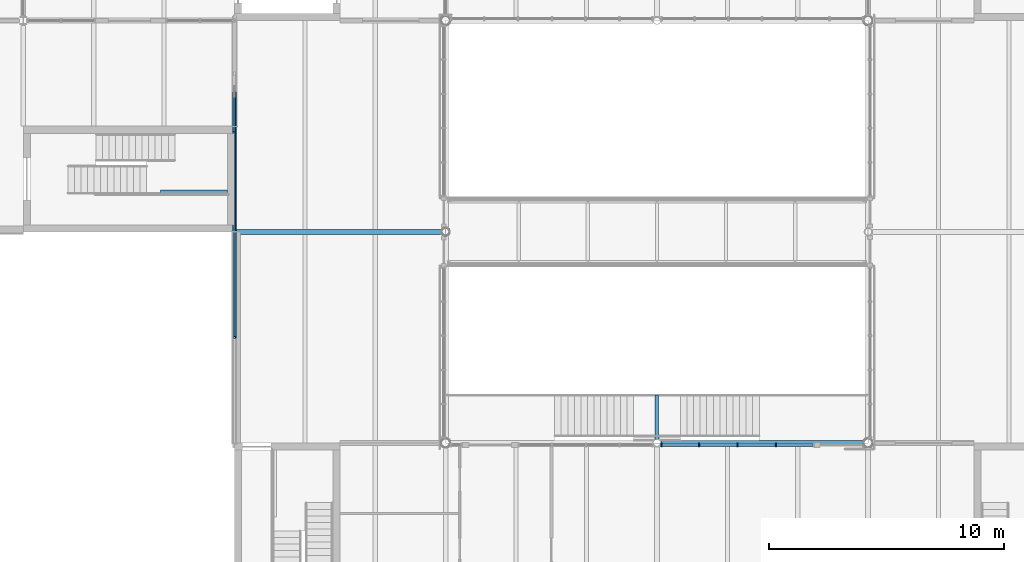
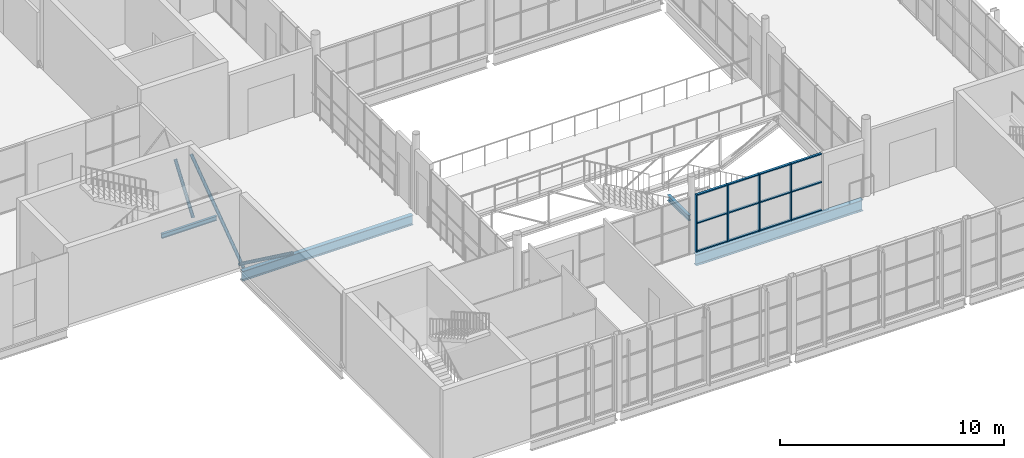
# One storey, part 19 of 61: 19 members, 4 beams, 1 element without a shape of its own.
"""IFC4 building model written with IfcOpenShell, lengths in metres."""

from ifc_helpers import new_model, si_unit, direction, frame, origin, origin_2d, place, context, subcontext, project, spatial, rectangle, hollow_circle, i_section, extrude, material, layer, layer_set, material_profile, profile_set, type_object, element, aggregate, save


model = new_model("IFC4")

# Units and contexts
model_context = context("Model", 3, precision=1e-05, world=origin(), true_north=direction((0.0, 1.0)))
body_context = subcontext(model_context, "Body", "Model", "MODEL_VIEW")
ifc_project = project(units=[si_unit("LENGTHUNIT", "METRE"), si_unit("AREAUNIT", "SQUARE_METRE"), si_unit("VOLUMEUNIT", "CUBIC_METRE"), si_unit("PLANEANGLEUNIT", "RADIAN"), si_unit("MASSUNIT", "GRAM", prefix="KILO")], contexts=[model_context])

# Site, building, storey
site_placement = place(None, origin())
site = spatial("IfcSite", under=ifc_project, at=site_placement, CompositionType="ELEMENT")
building_placement = place(site_placement, origin())
building = spatial("IfcBuilding", under=site, at=building_placement, Name="Halyard Row Museum", CompositionType="ELEMENT")
storey_placement = place(building_placement, frame((0.0, 0.0, 9.199951171875)))
storey = spatial("IfcBuildingStorey", under=building, at=storey_placement, Name="L02", CompositionType="ELEMENT", Elevation=9.199951171875)

# Members
ifc_material_1 = material(Name="Steel Grade C350L0", Category="steel")
ifc_material_profile_1 = material_profile(ifc_material_1, hollow_circle(Radius=0.084228515625, WallThickness=0.007080078125, at=origin_2d()), Name="168.3x7.1CHS")
ifc_profile_set_1 = profile_set([ifc_material_profile_1], Name="Steel Grade C350L0")
member_type_1 = type_object("IfcMemberType", Name="Brace 168.3x7.1CHS", PredefinedType="BRACE", material=ifc_profile_set_1)
member_1_placement = place(storey_placement, frame((72.0, 18.169921875, 0.084228515625), z_axis=(0.0, -0.805866223189, 0.592097652692), x_axis=(1.0, 0.0, 0.0)))
element("IfcMember", 1, at=member_1_placement, inside=storey, type_object=member_type_1, Name="Brace L02 X72 9-18 B", PredefinedType="BRACE", context=body_context, shape_type="SweptSolid", body=[
    extrude(hollow_circle(Radius=0.084228515625, WallThickness=0.007080078125, at=origin_2d()), origin(), (0.0, 0.0, 1.0), 5.794921875),
])
member_2_placement = place(storey_placement, frame((72.0, 17.830078125, 0.084228515625), z_axis=(0.0, 0.812141114165, 0.583461061839), x_axis=(-1.0, 0.0, 0.0)))
element("IfcMember", 2, at=member_2_placement, inside=storey, type_object=member_type_1, Name="Brace L02 X72 18-27 A", PredefinedType="BRACE", context=body_context, shape_type="SweptSolid", body=[
    extrude(hollow_circle(Radius=0.084228515625, WallThickness=0.007080078125, at=origin_2d()), origin(), (0.0, 0.0, 1.0), 5.750244140625),
])
member_3_placement = place(storey_placement, frame((72.0, 22.330078125, 0.084228515625), z_axis=(0.0, 0.582796597367, 0.81261806902), x_axis=(-1.0, 0.0, 0.0)))
element("IfcMember", 3, at=member_3_placement, inside=storey, type_object=member_type_1, Name="Brace L02 X72 22.5-27 A", PredefinedType="BRACE", context=body_context, shape_type="SweptSolid", body=[
    extrude(hollow_circle(Radius=0.084228515625, WallThickness=0.007080078125, at=origin_2d()), origin(), (0.0, 0.0, 1.0), 2.73974609375),
])

# Curtain wall, members
ifc_material_2 = material(Name="Fire-resisting laminated glazing", Category="glass")
ifc_layer = layer(ifc_material_2, 0.159912109375)
ifc_layer_set = layer_set([ifc_layer], Name="Fire-resisting laminated glazing")
curtain_wall_type = type_object("IfcCurtainWallType", Name="Curtain wall atrium screen 160 deep", PredefinedType="NOTDEFINED", material=ifc_layer_set)
curtain_wall_placement = place(storey_placement, origin())
curtain_wall = element("IfcCurtainWall", 4, at=curtain_wall_placement, inside=storey, type_object=curtain_wall_type, Name="Curtain wall CW086", PredefinedType="NOTDEFINED")
ifc_material_3 = material(Name="Powder-coated aluminium section", Category="aluminium")
ifc_material_profile_2 = material_profile(ifc_material_3, rectangle(XDim=0.159912109375, YDim=0.06005859375, at=origin_2d()), Name="160x60 mullion")
ifc_profile_set_2 = profile_set([ifc_material_profile_2], Name="Powder-coated aluminium section")
member_type_2 = type_object("IfcMemberType", Name="Curtain wall mullion CM5 60 x 160", PredefinedType="MULLION", material=ifc_profile_set_2)
member_4_placement = place(storey_placement, frame((90.19189453125, 8.919921875, 0.0), z_axis=(0.0, 0.0, 1.0), x_axis=(0.0, 1.0, 0.0)))
member_4 = element("IfcMember", 5, at=member_4_placement, type_object=member_type_2, Name="CW086 mullion 1", PredefinedType="MULLION", context=body_context, shape_type="SweptSolid", body=[
    extrude(rectangle(XDim=0.159912109375, YDim=0.06005859375, at=origin_2d()), origin(), (0.0, 0.0, 1.0), 3.12451171875),
])
member_5_placement = place(storey_placement, frame((91.79638671875, 8.919921875, 0.0), z_axis=(0.0, 0.0, 1.0), x_axis=(0.0, 1.0, 0.0)))
member_5 = element("IfcMember", 6, at=member_5_placement, type_object=member_type_2, Name="CW086 mullion 2", PredefinedType="MULLION", context=body_context, shape_type="SweptSolid", body=[
    extrude(rectangle(XDim=0.159912109375, YDim=0.06005859375, at=origin_2d()), origin(), (0.0, 0.0, 1.0), 3.12451171875),
])
member_6_placement = place(storey_placement, frame((93.430908203125, 8.919921875, 0.0), z_axis=(0.0, 0.0, 1.0), x_axis=(0.0, 1.0, 0.0)))
member_6 = element("IfcMember", 7, at=member_6_placement, type_object=member_type_2, Name="CW086 mullion 3", PredefinedType="MULLION", context=body_context, shape_type="SweptSolid", body=[
    extrude(rectangle(XDim=0.159912109375, YDim=0.06005859375, at=origin_2d()), origin(), (0.0, 0.0, 1.0), 3.12451171875),
])
member_7_placement = place(storey_placement, frame((95.0654296875, 8.919921875, 0.0), z_axis=(0.0, 0.0, 1.0), x_axis=(0.0, 1.0, 0.0)))
member_7 = element("IfcMember", 8, at=member_7_placement, type_object=member_type_2, Name="CW086 mullion 4", PredefinedType="MULLION", context=body_context, shape_type="SweptSolid", body=[
    extrude(rectangle(XDim=0.159912109375, YDim=0.06005859375, at=origin_2d()), origin(), (0.0, 0.0, 1.0), 3.12451171875),
])
ifc_material_4 = material(Name="Powder-coated aluminium section", Category="aluminium")
ifc_material_profile_3 = material_profile(ifc_material_4, rectangle(XDim=0.1201171875, YDim=0.06005859375, at=origin_2d()), Name="120x60 transom")
ifc_profile_set_3 = profile_set([ifc_material_profile_3], Name="Powder-coated aluminium section")
member_type_3 = type_object("IfcMemberType", Name="Curtain wall transom CT5 60 x 120", PredefinedType="USERDEFINED", material=ifc_profile_set_3)
member_8_placement = place(storey_placement, frame((90.221923828125, 8.919921875, 0.030029296875), z_axis=(1.0, 0.0, 0.0), x_axis=(0.0, 1.0, 0.0)))
member_8 = element("IfcMember", 9, at=member_8_placement, type_object=member_type_3, Name="CW086 transom 1.1", ObjectType="TRANSOM", PredefinedType="USERDEFINED", context=body_context, shape_type="SweptSolid", body=[
    extrude(rectangle(XDim=0.1201171875, YDim=0.06005859375, at=origin_2d()), origin(), (0.0, 0.0, 1.0), 1.54443359375),
])
member_9_placement = place(storey_placement, frame((90.221923828125, 8.919921875, 1.562255859375), z_axis=(1.0, 0.0, 0.0), x_axis=(0.0, 1.0, 0.0)))
member_9 = element("IfcMember", 10, at=member_9_placement, type_object=member_type_3, Name="CW086 transom 1.2", ObjectType="TRANSOM", PredefinedType="USERDEFINED", context=body_context, shape_type="SweptSolid", body=[
    extrude(rectangle(XDim=0.1201171875, YDim=0.06005859375, at=origin_2d()), origin(), (0.0, 0.0, 1.0), 1.54443359375),
])
member_10_placement = place(storey_placement, frame((90.221923828125, 8.919921875, 3.094482421875), z_axis=(1.0, 0.0, 0.0), x_axis=(0.0, 1.0, 0.0)))
member_10 = element("IfcMember", 11, at=member_10_placement, type_object=member_type_3, Name="CW086 transom 1.3", ObjectType="TRANSOM", PredefinedType="USERDEFINED", context=body_context, shape_type="SweptSolid", body=[
    extrude(rectangle(XDim=0.1201171875, YDim=0.06005859375, at=origin_2d()), origin(), (0.0, 0.0, 1.0), 1.54443359375),
])
member_11_placement = place(storey_placement, frame((91.826416015625, 8.919921875, 0.030029296875), z_axis=(1.0, 0.0, 0.0), x_axis=(0.0, 1.0, 0.0)))
member_11 = element("IfcMember", 12, at=member_11_placement, type_object=member_type_3, Name="CW086 transom 2.1", ObjectType="TRANSOM", PredefinedType="USERDEFINED", context=body_context, shape_type="SweptSolid", body=[
    extrude(rectangle(XDim=0.1201171875, YDim=0.06005859375, at=origin_2d()), origin(), (0.0, 0.0, 1.0), 1.574462890625),
])
member_12_placement = place(storey_placement, frame((91.826416015625, 8.919921875, 1.562255859375), z_axis=(1.0, 0.0, 0.0), x_axis=(0.0, 1.0, 0.0)))
member_12 = element("IfcMember", 13, at=member_12_placement, type_object=member_type_3, Name="CW086 transom 2.2", ObjectType="TRANSOM", PredefinedType="USERDEFINED", context=body_context, shape_type="SweptSolid", body=[
    extrude(rectangle(XDim=0.1201171875, YDim=0.06005859375, at=origin_2d()), origin(), (0.0, 0.0, 1.0), 1.574462890625),
])
member_13_placement = place(storey_placement, frame((91.826416015625, 8.919921875, 3.094482421875), z_axis=(1.0, 0.0, 0.0), x_axis=(0.0, 1.0, 0.0)))
member_13 = element("IfcMember", 14, at=member_13_placement, type_object=member_type_3, Name="CW086 transom 2.3", ObjectType="TRANSOM", PredefinedType="USERDEFINED", context=body_context, shape_type="SweptSolid", body=[
    extrude(rectangle(XDim=0.1201171875, YDim=0.06005859375, at=origin_2d()), origin(), (0.0, 0.0, 1.0), 1.574462890625),
])
member_14_placement = place(storey_placement, frame((93.4609375, 8.919921875, 0.030029296875), z_axis=(1.0, 0.0, 0.0), x_axis=(0.0, 1.0, 0.0)))
member_14 = element("IfcMember", 15, at=member_14_placement, type_object=member_type_3, Name="CW086 transom 3.1", ObjectType="TRANSOM", PredefinedType="USERDEFINED", context=body_context, shape_type="SweptSolid", body=[
    extrude(rectangle(XDim=0.1201171875, YDim=0.06005859375, at=origin_2d()), origin(), (0.0, 0.0, 1.0), 1.574462890625),
])
member_15_placement = place(storey_placement, frame((93.4609375, 8.919921875, 1.562255859375), z_axis=(1.0, 0.0, 0.0), x_axis=(0.0, 1.0, 0.0)))
member_15 = element("IfcMember", 16, at=member_15_placement, type_object=member_type_3, Name="CW086 transom 3.2", ObjectType="TRANSOM", PredefinedType="USERDEFINED", context=body_context, shape_type="SweptSolid", body=[
    extrude(rectangle(XDim=0.1201171875, YDim=0.06005859375, at=origin_2d()), origin(), (0.0, 0.0, 1.0), 1.574462890625),
])
member_16_placement = place(storey_placement, frame((93.4609375, 8.919921875, 3.094482421875), z_axis=(1.0, 0.0, 0.0), x_axis=(0.0, 1.0, 0.0)))
member_16 = element("IfcMember", 17, at=member_16_placement, type_object=member_type_3, Name="CW086 transom 3.3", ObjectType="TRANSOM", PredefinedType="USERDEFINED", context=body_context, shape_type="SweptSolid", body=[
    extrude(rectangle(XDim=0.1201171875, YDim=0.06005859375, at=origin_2d()), origin(), (0.0, 0.0, 1.0), 1.574462890625),
])
member_17_placement = place(storey_placement, frame((95.095458984375, 8.919921875, 0.030029296875), z_axis=(1.0, 0.0, 0.0), x_axis=(0.0, 1.0, 0.0)))
member_17 = element("IfcMember", 18, at=member_17_placement, type_object=member_type_3, Name="CW086 transom 4.1", ObjectType="TRANSOM", PredefinedType="USERDEFINED", context=body_context, shape_type="SweptSolid", body=[
    extrude(rectangle(XDim=0.1201171875, YDim=0.06005859375, at=origin_2d()), origin(), (0.0, 0.0, 1.0), 1.54443359375),
])
member_18_placement = place(storey_placement, frame((95.095458984375, 8.919921875, 1.562255859375), z_axis=(1.0, 0.0, 0.0), x_axis=(0.0, 1.0, 0.0)))
member_18 = element("IfcMember", 19, at=member_18_placement, type_object=member_type_3, Name="CW086 transom 4.2", ObjectType="TRANSOM", PredefinedType="USERDEFINED", context=body_context, shape_type="SweptSolid", body=[
    extrude(rectangle(XDim=0.1201171875, YDim=0.06005859375, at=origin_2d()), origin(), (0.0, 0.0, 1.0), 1.54443359375),
])
member_19_placement = place(storey_placement, frame((95.095458984375, 8.919921875, 3.094482421875), z_axis=(1.0, 0.0, 0.0), x_axis=(0.0, 1.0, 0.0)))
member_19 = element("IfcMember", 20, at=member_19_placement, type_object=member_type_3, Name="CW086 transom 4.3", ObjectType="TRANSOM", PredefinedType="USERDEFINED", context=body_context, shape_type="SweptSolid", body=[
    extrude(rectangle(XDim=0.1201171875, YDim=0.06005859375, at=origin_2d()), origin(), (0.0, 0.0, 1.0), 1.54443359375),
])
aggregate(curtain_wall, [member_4, member_5, member_6, member_7, member_8, member_9, member_10, member_11, member_12, member_13, member_14, member_15, member_16, member_17, member_18, member_19])

# Beams
ifc_material_5 = material(Name="Steel Grade 300", Category="steel")
ifc_material_profile_4 = material_profile(ifc_material_5, i_section(OverallWidth=0.208984375, OverallDepth=0.532958984375, WebThickness=0.01025390625, FlangeThickness=0.015625, FilletRadius=0.013916015625, at=origin_2d()), Name="530UB92.4")
ifc_profile_set_4 = profile_set([ifc_material_profile_4], Name="Steel Grade 300")
beam_type_1 = type_object("IfcBeamType", Name="Girder beam 530UB92.4", PredefinedType="BEAM", material=ifc_profile_set_4)
beam_1_placement = place(storey_placement, frame((72.0, 18.0, -0.431396484375), z_axis=(1.0, 0.0, 0.0), x_axis=(0.0, 1.0, 0.0)))
element("IfcBeam", 21, at=beam_1_placement, inside=storey, type_object=beam_type_1, Name="Beam L02-015", PredefinedType="BEAM", context=body_context, shape_type="SweptSolid", body=[
    extrude(i_section(OverallWidth=0.208984375, OverallDepth=0.532958984375, WebThickness=0.01025390625, FlangeThickness=0.015625, FilletRadius=0.013916015625, at=origin_2d()), origin(), (0.0, 0.0, 1.0), 8.796875),
])
ifc_material_6 = material(Name="Steel Grade 300", Category="steel")
ifc_material_profile_5 = material_profile(ifc_material_6, i_section(OverallWidth=0.14892578125, OverallDepth=0.298095703125, WebThickness=0.005615234375, FlangeThickness=0.008056640625, FilletRadius=0.012939453125, at=origin_2d()), Name="310UB32.0")
ifc_profile_set_5 = profile_set([ifc_material_profile_5], Name="Steel Grade 300")
beam_type_2 = type_object("IfcBeamType", Name="Landing bracket 310UB32.0", PredefinedType="BEAM", material=ifc_profile_set_5)
beam_2_placement = place(storey_placement, frame((90.0, 9.158935546875, 1.7509765625), z_axis=(0.0, 1.0, 0.0), x_axis=(-1.0, 0.0, 0.0)))
element("IfcBeam", 22, at=beam_2_placement, inside=storey, type_object=beam_type_2, Name="Feature stair landing bracket L02", PredefinedType="BEAM", context=body_context, shape_type="SweptSolid", body=[
    extrude(i_section(OverallWidth=0.14892578125, OverallDepth=0.298095703125, WebThickness=0.005615234375, FlangeThickness=0.008056640625, FilletRadius=0.012939453125, at=origin_2d()), origin(), (0.0, 0.0, 1.0), 1.89111328125),
])
ifc_material_7 = material(Name="Steel Grade 300", Category="steel")
ifc_material_profile_6 = material_profile(ifc_material_7, i_section(OverallWidth=0.1240234375, OverallDepth=0.248046875, WebThickness=0.0048828125, FlangeThickness=0.008056640625, FilletRadius=0.011962890625, at=origin_2d()), Name="250UB25.7")
ifc_profile_set_6 = profile_set([ifc_material_profile_6], Name="Steel Grade 300")
beam_type_3 = type_object("IfcBeamType", Name="Landing trimmer 250UB25.7", PredefinedType="BEAM", material=ifc_profile_set_6)
beam_3_placement = place(storey_placement, frame((71.702880859375, 19.721923828125, 1.776123046875), z_axis=(-1.0, 0.0, 0.0), x_axis=(0.0, -1.0, 0.0)))
element("IfcBeam", 23, at=beam_3_placement, inside=storey, type_object=beam_type_3, Name="Landing ledger K1C L02 1", PredefinedType="BEAM", context=body_context, shape_type="SweptSolid", body=[
    extrude(i_section(OverallWidth=0.1240234375, OverallDepth=0.248046875, WebThickness=0.0048828125, FlangeThickness=0.008056640625, FilletRadius=0.011962890625, at=origin_2d()), origin(), (0.0, 0.0, 1.0), 2.852783203125),
])
ifc_material_8 = material(Name="Steel Grade 300", Category="steel")
ifc_material_profile_7 = material_profile(ifc_material_8, i_section(OverallWidth=0.22802734375, OverallDepth=0.60693359375, WebThickness=0.01123046875, FlangeThickness=0.017333984375, FilletRadius=0.013916015625, at=origin_2d()), Name="610UB113")
ifc_profile_set_7 = profile_set([ifc_material_profile_7], Name="Steel Grade 300")
beam_type_4 = type_object("IfcBeamType", Name="Void edge beam 610UB113", PredefinedType="BEAM", material=ifc_profile_set_7)
beam_4_placement = place(storey_placement, frame((90.177734375, 9.0, -0.468505859375), z_axis=(1.0, 0.0, 0.0), x_axis=(0.0, 1.0, 0.0)))
element("IfcBeam", 24, at=beam_4_placement, inside=storey, type_object=beam_type_4, Name="Beam L02-009", PredefinedType="BEAM", context=body_context, shape_type="SweptSolid", body=[
    extrude(i_section(OverallWidth=0.22802734375, OverallDepth=0.60693359375, WebThickness=0.01123046875, FlangeThickness=0.017333984375, FilletRadius=0.013916015625, at=origin_2d()), origin(), (0.0, 0.0, 1.0), 8.619140625),
])

save(model, "model.ifc")
